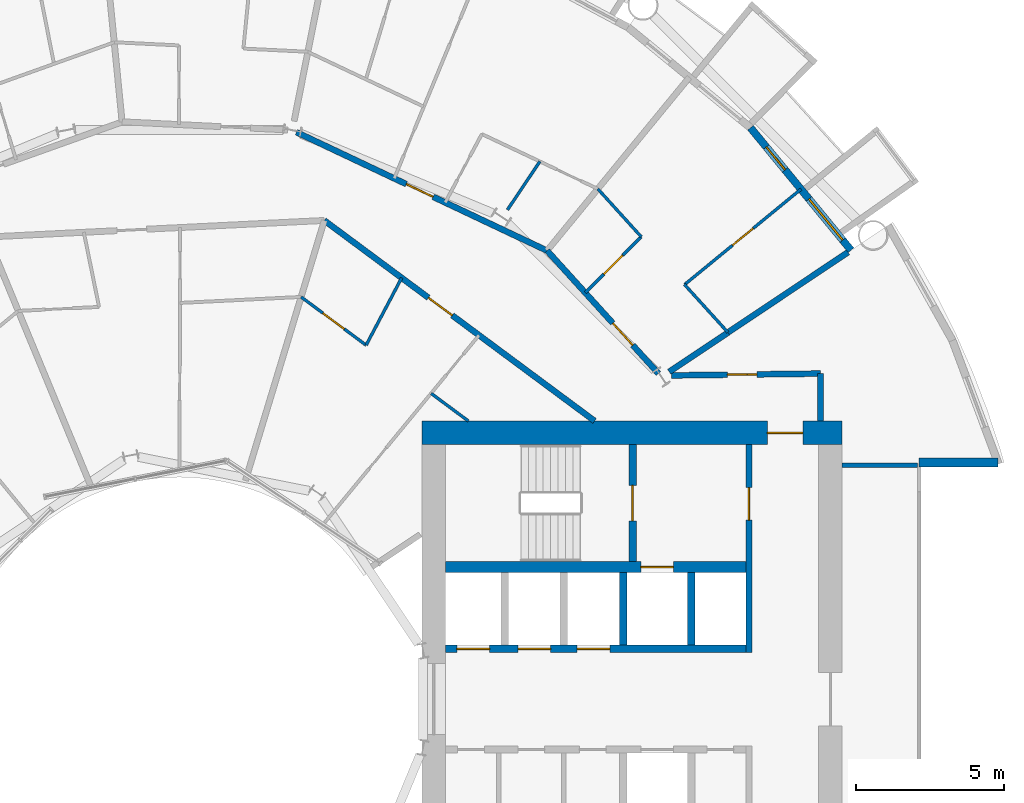
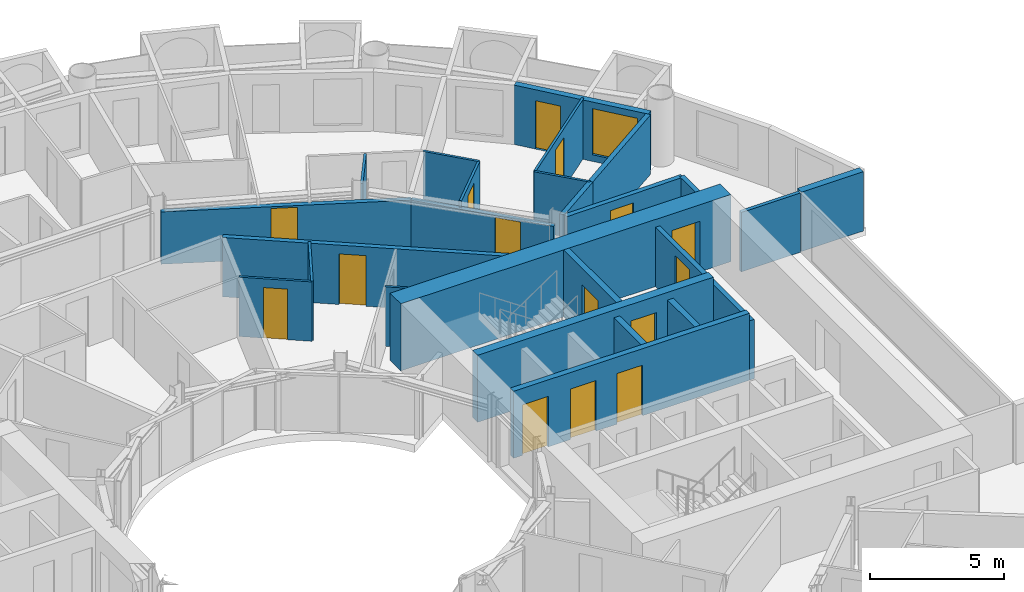
# One storey, part 21 of 25: 25 walls, 15 doors, 1 window, 16 openings.
"""IFC4 building model written with IfcOpenShell, lengths in metres."""

from ifc_helpers import new_model, si_unit, direction, frame, frame_2d, origin, place, context, subcontext, project, spatial, rectangle, extrude, material, layer, layer_set, type_object, element, fill, save


model = new_model("IFC4")

# Units and contexts
model_context = context("Model", 3, precision=1e-05, world=origin(), true_north=direction((0.0, 1.0)))
body_context = subcontext(model_context, "Body", "Model", "MODEL_VIEW")
ifc_project = project(units=[si_unit("LENGTHUNIT", "METRE"), si_unit("AREAUNIT", "SQUARE_METRE"), si_unit("VOLUMEUNIT", "CUBIC_METRE"), si_unit("PLANEANGLEUNIT", "RADIAN"), si_unit("MASSUNIT", "GRAM", prefix="KILO")], contexts=[model_context])

# Site, building, storey
site_placement = place(None, origin())
site = spatial("IfcSite", under=ifc_project, at=site_placement, CompositionType="ELEMENT")
building_placement = place(site_placement, origin())
building = spatial("IfcBuilding", under=site, at=building_placement, Name="Maasbend Ring Residences", CompositionType="ELEMENT")
storey_placement = place(building_placement, frame((0.0, 0.0, 41.10009765625)))
storey = spatial("IfcBuildingStorey", under=building, at=storey_placement, Name="L11", CompositionType="ELEMENT", Elevation=41.10009765625)

# Wall, openings, doors
ifc_material_1 = material(Name="Concrete C70/85", Category="concrete")
ifc_layer_1 = layer(ifc_material_1, 0.25)
ifc_layer_set_1 = layer_set([ifc_layer_1], Name="Concrete C70/85")
wall_type_1 = type_object("IfcWallType", Name="CORE WALL 250 C70/85", PredefinedType="SHEAR", material=ifc_layer_set_1)
wall_1_placement = place(storey_placement, frame((9.0, 1.699951171875, 0.0), z_axis=(0.0, 0.0, 1.0), x_axis=(1.0, 0.0, 0.0)))
wall_1 = element("IfcWall", 1, at=wall_1_placement, inside=storey, type_object=wall_type_1, Name="L11 core E wall SPN", PredefinedType="SHEAR", context=body_context, shape_type="SweptSolid", body=[
    extrude(rectangle(XDim=10.14990234375, YDim=0.25, at=frame_2d((5.074951171875, 0.0))), origin(), (0.0, 0.0, 1.0), 3.0498046875),
])
opening_1_placement = place(wall_1_placement, frame((0.387451171875, 0.0, 0.0)))
opening_1 = element("IfcOpeningElement", 2, at=opening_1_placement, cuts=wall_1, Name="Opening LD-E1101", PredefinedType="OPENING", context=body_context, shape_type="SweptSolid", body=[
    extrude(rectangle(XDim=1.10009765625, YDim=2.300048828125, at=frame_2d((0.550048828125, 1.14990234375))), frame((0.0, 0.135009765625, 0.0), z_axis=(0.0, -1.0, 0.0), x_axis=(1.0, 0.0, 0.0)), (0.0, 0.0, 1.0), 0.27001953125),
])
opening_2_placement = place(wall_1_placement, frame((2.449951171875, 0.0, 0.0)))
opening_2 = element("IfcOpeningElement", 3, at=opening_2_placement, cuts=wall_1, Name="Opening LD-E1102", PredefinedType="OPENING", context=body_context, shape_type="SweptSolid", body=[
    extrude(rectangle(XDim=1.10009765625, YDim=2.300048828125, at=frame_2d((0.550048828125, 1.14990234375))), frame((0.0, 0.135009765625, 0.0), z_axis=(0.0, -1.0, 0.0), x_axis=(1.0, 0.0, 0.0)), (0.0, 0.0, 1.0), 0.27001953125),
])
opening_3_placement = place(wall_1_placement, frame((4.449951171875, 0.0, 0.0)))
opening_3 = element("IfcOpeningElement", 4, at=opening_3_placement, cuts=wall_1, Name="Opening LD-E1103", PredefinedType="OPENING", context=body_context, shape_type="SweptSolid", body=[
    extrude(rectangle(XDim=1.10009765625, YDim=2.300048828125, at=frame_2d((0.550048828125, 1.14990234375))), frame((0.0, 0.135009765625, 0.0), z_axis=(0.0, -1.0, 0.0), x_axis=(1.0, 0.0, 0.0)), (0.0, 0.0, 1.0), 0.27001953125),
])
ifc_material_2 = material(Name="Stainless steel 316", Category="steel")
door_type_1 = type_object("IfcDoorType", Name="LANDING DOOR 1100 X 2300 FD60", OperationType="DOUBLE_DOOR_SLIDING", PredefinedType="DOOR", material=ifc_material_2)
door_1_placement = place(opening_1_placement, origin())
door_1 = element("IfcDoor", 5, at=door_1_placement, inside=storey, type_object=door_type_1, Name="Landing door LR-E1 L11", OperationType="DOUBLE_DOOR_SLIDING", OverallHeight=2.300048828125, OverallWidth=1.10009765625, PredefinedType="DOOR", context=body_context, shape_type="SweptSolid", body=[
    extrude(rectangle(XDim=1.10009765625, YDim=2.300048828125, at=frame_2d((0.550048828125, 1.14990234375))), frame((0.0, 0.02490234375, 0.0), z_axis=(0.0, -1.0, 0.0), x_axis=(1.0, 0.0, 0.0)), (0.0, 0.0, 1.0), 0.050048828125),
])
fill(opening_1, door_1)
door_2_placement = place(opening_2_placement, origin())
door_2 = element("IfcDoor", 6, at=door_2_placement, inside=storey, type_object=door_type_1, Name="Landing door LR-E2 L11", OperationType="DOUBLE_DOOR_SLIDING", OverallHeight=2.300048828125, OverallWidth=1.10009765625, PredefinedType="DOOR", context=body_context, shape_type="SweptSolid", body=[
    extrude(rectangle(XDim=1.10009765625, YDim=2.300048828125, at=frame_2d((0.550048828125, 1.14990234375))), frame((0.0, 0.02490234375, 0.0), z_axis=(0.0, -1.0, 0.0), x_axis=(1.0, 0.0, 0.0)), (0.0, 0.0, 1.0), 0.050048828125),
])
fill(opening_2, door_2)
door_3_placement = place(opening_3_placement, origin())
door_3 = element("IfcDoor", 7, at=door_3_placement, inside=storey, type_object=door_type_1, Name="Landing door LR-E3 L11", OperationType="DOUBLE_DOOR_SLIDING", OverallHeight=2.300048828125, OverallWidth=1.10009765625, PredefinedType="DOOR", context=body_context, shape_type="SweptSolid", body=[
    extrude(rectangle(XDim=1.10009765625, YDim=2.300048828125, at=frame_2d((0.550048828125, 1.14990234375))), frame((0.0, 0.02490234375, 0.0), z_axis=(0.0, -1.0, 0.0), x_axis=(1.0, 0.0, 0.0)), (0.0, 0.0, 1.0), 0.050048828125),
])
fill(opening_3, door_3)

# Wall, opening, door
wall_2_placement = place(storey_placement, frame((15.324951171875, 4.64990234375, 0.0), z_axis=(0.0, 0.0, 1.0), x_axis=(0.0, 1.0, 0.0)))
wall_2 = element("IfcWall", 8, at=wall_2_placement, inside=storey, type_object=wall_type_1, Name="L11 core E wall STEN", PredefinedType="SHEAR", context=body_context, shape_type="SweptSolid", body=[
    extrude(rectangle(XDim=3.9501953125, YDim=0.25, at=frame_2d((1.97509765625, 0.0))), origin(), (0.0, 0.0, 1.0), 3.0498046875),
])
opening_4_placement = place(wall_2_placement, frame((1.375, 0.0, 0.0)))
opening_4 = element("IfcOpeningElement", 9, at=opening_4_placement, cuts=wall_2, Name="Opening D-E1111", PredefinedType="OPENING", context=body_context, shape_type="SweptSolid", body=[
    extrude(rectangle(XDim=1.199951171875, YDim=2.300048828125, at=frame_2d((0.60009765625, 1.14990234375))), frame((0.0, 0.135009765625, 0.0), z_axis=(0.0, -1.0, 0.0), x_axis=(1.0, 0.0, 0.0)), (0.0, 0.0, 1.0), 0.27001953125),
])
ifc_material_3 = material(Name="Steel, powder coated", Category="steel")
door_type_2 = type_object("IfcDoorType", Name="STAIR DOOR 1200 X 2300 FD60", OperationType="NOTDEFINED", PredefinedType="DOOR", material=ifc_material_3)
door_4_placement = place(opening_4_placement, origin())
door_4 = element("IfcDoor", 10, at=door_4_placement, inside=storey, type_object=door_type_2, Name="Stair door ST-E L11", OperationType="SINGLE_SWING_LEFT", OverallHeight=2.300048828125, OverallWidth=1.199951171875, PredefinedType="DOOR", context=body_context, shape_type="SweptSolid", body=[
    extrude(rectangle(XDim=1.199951171875, YDim=2.300048828125, at=frame_2d((0.60009765625, 1.14990234375))), frame((0.0, 0.02490234375, 0.0), z_axis=(0.0, -1.0, 0.0), x_axis=(1.0, 0.0, 0.0)), (0.0, 0.0, 1.0), 0.050048828125),
])
fill(opening_4, door_4)

ifc_material_4 = material(Name="Concrete C70/85", Category="concrete")
ifc_layer_2 = layer(ifc_material_4, 0.375)
ifc_layer_set_2 = layer_set([ifc_layer_2], Name="Concrete C70/85")
wall_type_2 = type_object("IfcWallType", Name="CORE WALL 375 C70/85", PredefinedType="SHEAR", material=ifc_layer_set_2)
wall_3_placement = place(storey_placement, frame((9.0, 4.46240234375, 0.0), z_axis=(0.0, 0.0, 1.0), x_axis=(1.0, 0.0, 0.0)))
wall_3 = element("IfcWall", 11, at=wall_3_placement, inside=storey, type_object=wall_type_2, Name="L11 core E wall BN", PredefinedType="SHEAR", context=body_context, shape_type="SweptSolid", body=[
    extrude(rectangle(XDim=10.14990234375, YDim=0.375, at=frame_2d((5.074951171875, 0.0))), origin(), (0.0, 0.0, 1.0), 3.0498046875),
])
opening_5_placement = place(wall_3_placement, frame((6.60009765625, 0.0, 0.0)))
opening_5 = element("IfcOpeningElement", 12, at=opening_5_placement, cuts=wall_3, Name="Opening LD-E1104", PredefinedType="OPENING", context=body_context, shape_type="SweptSolid", body=[
    extrude(rectangle(XDim=1.10009765625, YDim=2.300048828125, at=frame_2d((0.550048828125, 1.14990234375))), frame((0.0, 0.197509765625, 0.0), z_axis=(0.0, -1.0, 0.0), x_axis=(1.0, 0.0, 0.0)), (0.0, 0.0, 1.0), 0.39501953125),
])
door_5_placement = place(opening_5_placement, origin())
door_5 = element("IfcDoor", 13, at=door_5_placement, inside=storey, type_object=door_type_1, Name="Landing door FF-E L11", OperationType="DOUBLE_DOOR_SLIDING", OverallHeight=2.300048828125, OverallWidth=1.10009765625, PredefinedType="DOOR", context=body_context, shape_type="SweptSolid", body=[
    extrude(rectangle(XDim=1.10009765625, YDim=2.300048828125, at=frame_2d((0.550048828125, 1.14990234375))), frame((0.0, 0.02490234375, 0.0), z_axis=(0.0, -1.0, 0.0), x_axis=(1.0, 0.0, 0.0)), (0.0, 0.0, 1.0), 0.050048828125),
])
fill(opening_5, door_5)

ifc_material_5 = material(Name="Concrete C70/85", Category="concrete")
ifc_layer_3 = layer(ifc_material_5, 0.800048828125)
ifc_layer_set_3 = layer_set([ifc_layer_3], Name="Concrete C70/85")
wall_type_3 = type_object("IfcWallType", Name="CORE WALL 800 C70/85", PredefinedType="SHEAR", material=ifc_layer_set_3)
wall_4_placement = place(storey_placement, frame((22.39990234375, 9.0, 0.0), z_axis=(0.0, 0.0, 1.0), x_axis=(-1.0, 0.0, 0.0)))
wall_4 = element("IfcWall", 14, at=wall_4_placement, inside=storey, type_object=wall_type_3, Name="L11 core E wall PN", PredefinedType="SHEAR", context=body_context, shape_type="SweptSolid", body=[
    extrude(rectangle(XDim=14.199951171875, YDim=0.800048828125, at=frame_2d((7.10009765625, 0.0))), origin(), (0.0, 0.0, 1.0), 3.0498046875),
])
opening_6_placement = place(wall_4_placement, frame((1.324951171875, 0.0, 0.0)))
opening_6 = element("IfcOpeningElement", 15, at=opening_6_placement, cuts=wall_4, Name="Opening D-E1115", PredefinedType="OPENING", context=body_context, shape_type="SweptSolid", body=[
    extrude(rectangle(XDim=1.199951171875, YDim=2.300048828125, at=frame_2d((0.60009765625, 1.14990234375))), frame((0.0, 0.41015625, 0.0), z_axis=(0.0, -1.0, 0.0), x_axis=(1.0, 0.0, 0.0)), (0.0, 0.0, 1.0), 0.820068359375),
])
ifc_material_6 = material(Name="Steel, powder coated", Category="steel")
door_type_3 = type_object("IfcDoorType", Name="CORRIDOR DOOR 1200 X 2300 FD30S", OperationType="NOTDEFINED", PredefinedType="DOOR", material=ifc_material_6)
door_6_placement = place(opening_6_placement, origin())
door_6 = element("IfcDoor", 16, at=door_6_placement, inside=storey, type_object=door_type_3, Name="Corridor door L11", OperationType="SINGLE_SWING_RIGHT", OverallHeight=2.300048828125, OverallWidth=1.199951171875, PredefinedType="DOOR", context=body_context, shape_type="SweptSolid", body=[
    extrude(rectangle(XDim=1.199951171875, YDim=2.300048828125, at=frame_2d((0.60009765625, 1.14990234375))), frame((0.0, 0.02490234375, 0.0), z_axis=(0.0, -1.0, 0.0), x_axis=(1.0, 0.0, 0.0)), (0.0, 0.0, 1.0), 0.050048828125),
])
fill(opening_6, door_6)

# Wall
ifc_material_7 = material(Name="Concrete C30/37", Category="concrete")
ifc_layer_4 = layer(ifc_material_7, 0.199951171875)
ifc_layer_set_4 = layer_set([ifc_layer_4], Name="Concrete C30/37")
wall_type_4 = type_object("IfcWallType", Name="CORRIDOR WALL 200 CONCRETE", PredefinedType="PARTITIONING", material=ifc_layer_set_4)
wall_5_placement = place(storey_placement, frame((21.675048828125, 9.39990234375, 0.0), z_axis=(0.0, 0.0, 1.0), x_axis=(0.0, 1.0, 0.0)))
element("IfcWall", 17, at=wall_5_placement, inside=storey, type_object=wall_type_4, Name="U-L11-w008", PredefinedType="PARTITIONING", context=body_context, shape_type="SweptSolid", body=[
    extrude(rectangle(XDim=1.60009765625, YDim=0.199951171875, at=frame_2d((0.800048828125, 0.0))), origin(), (0.0, 0.0, 1.0), 2.699951171875),
])

# Wall, opening, door
wall_6_placement = place(storey_placement, frame((16.636962890625, 10.93798828125, 0.0), z_axis=(0.0, 0.0, 1.0), x_axis=(0.99992425795, 0.012307654658, 0.0)))
wall_6 = element("IfcWall", 18, at=wall_6_placement, inside=storey, type_object=wall_type_4, Name="U-L11-w096", PredefinedType="PARTITIONING", context=body_context, shape_type="SweptSolid", body=[
    extrude(rectangle(XDim=5.03857421875, YDim=0.199951171875, at=frame_2d((2.519287109375, 0.0))), origin(), (0.0, 0.0, 1.0), 2.699951171875),
])
opening_7_placement = place(wall_6_placement, frame((1.884033203125, 0.0, 0.0)))
opening_7 = element("IfcOpeningElement", 19, at=opening_7_placement, cuts=wall_6, Name="Opening D-1172", PredefinedType="OPENING", context=body_context, shape_type="SweptSolid", body=[
    extrude(rectangle(XDim=1.0, YDim=2.300048828125, at=frame_2d((0.5, 1.14990234375))), frame((0.0, 0.10986328125, 0.0), z_axis=(0.0, -1.0, 0.0), x_axis=(1.0, 0.0, 0.0)), (0.0, 0.0, 1.0), 0.219970703125),
])
ifc_material_8 = material(Name="Timber, painted", Category="wood")
door_type_4 = type_object("IfcDoorType", Name="ROOM DOOR 1000 X 2300", OperationType="NOTDEFINED", PredefinedType="DOOR", material=ifc_material_8)
door_7_placement = place(opening_7_placement, origin())
door_7 = element("IfcDoor", 20, at=door_7_placement, inside=storey, type_object=door_type_4, Name="D-1172", OperationType="SINGLE_SWING_LEFT", OverallHeight=2.300048828125, OverallWidth=1.0, PredefinedType="DOOR", context=body_context, shape_type="SweptSolid", body=[
    extrude(rectangle(XDim=1.0, YDim=2.300048828125, at=frame_2d((0.5, 1.14990234375))), frame((0.0, 0.02490234375, 0.0), z_axis=(0.0, -1.0, 0.0), x_axis=(1.0, 0.0, 0.0)), (0.0, 0.0, 1.0), 0.050048828125),
])
fill(opening_7, door_7)

wall_7_placement = place(storey_placement, frame((4.906005859375, 16.172119140625, 0.0), z_axis=(0.0, 0.0, 1.0), x_axis=(0.803202106898, -0.595706618626, 0.0)))
wall_7 = element("IfcWall", 21, at=wall_7_placement, inside=storey, type_object=wall_type_4, Name="U-L11-w104", PredefinedType="PARTITIONING", context=body_context, shape_type="SweptSolid", body=[
    extrude(rectangle(XDim=11.368408203125, YDim=0.199951171875, at=frame_2d((5.68408203125, 0.0))), origin(), (0.0, 0.0, 1.0), 2.699951171875),
])
opening_8_placement = place(wall_7_placement, frame((4.3798828125, 0.0, 0.0)))
opening_8 = element("IfcOpeningElement", 22, at=opening_8_placement, cuts=wall_7, Name="Opening D-1123", PredefinedType="OPENING", context=body_context, shape_type="SweptSolid", body=[
    extrude(rectangle(XDim=1.0, YDim=2.300048828125, at=frame_2d((0.5, 1.14990234375))), frame((0.0, 0.10986328125, 0.0), z_axis=(0.0, -1.0, 0.0), x_axis=(1.0, 0.0, 0.0)), (0.0, 0.0, 1.0), 0.219970703125),
])
ifc_material_9 = material(Name="Timber, fire-rated, painted", Category="wood")
door_type_5 = type_object("IfcDoorType", Name="FLAT ENTRANCE DOOR 1000 X 2300 FIRE-RATED", OperationType="NOTDEFINED", PredefinedType="DOOR", material=ifc_material_9)
door_8_placement = place(opening_8_placement, origin())
door_8 = element("IfcDoor", 23, at=door_8_placement, inside=storey, type_object=door_type_5, Name="D-1123", OperationType="SINGLE_SWING_LEFT", OverallHeight=2.300048828125, OverallWidth=1.0, PredefinedType="DOOR", context=body_context, shape_type="SweptSolid", body=[
    extrude(rectangle(XDim=1.0, YDim=2.300048828125, at=frame_2d((0.5, 1.14990234375))), frame((0.0, 0.02490234375, 0.0), z_axis=(0.0, -1.0, 0.0), x_axis=(1.0, 0.0, 0.0)), (0.0, 0.0, 1.0), 0.050048828125),
])
fill(opening_8, door_8)

wall_8_placement = place(storey_placement, frame((3.966064453125, 19.154052734375, 0.0), z_axis=(0.0, 0.0, 1.0), x_axis=(0.904067688688, -0.427389300603, 0.0)))
wall_8 = element("IfcWall", 24, at=wall_8_placement, inside=storey, type_object=wall_type_4, Name="U-L11-w107", PredefinedType="PARTITIONING", context=body_context, shape_type="SweptSolid", body=[
    extrude(rectangle(XDim=9.366455078125, YDim=0.199951171875, at=frame_2d((4.68310546875, 0.0))), origin(), (0.0, 0.0, 1.0), 2.3798828125),
])
opening_9_placement = place(wall_8_placement, frame((4.10400390625, 0.0, 0.0)))
opening_9 = element("IfcOpeningElement", 25, at=opening_9_placement, cuts=wall_8, Name="Opening D-1104", PredefinedType="OPENING", context=body_context, shape_type="SweptSolid", body=[
    extrude(rectangle(XDim=1.0, YDim=2.300048828125, at=frame_2d((0.5, 1.14990234375))), frame((0.0, 0.10986328125, 0.0), z_axis=(0.0, -1.0, 0.0), x_axis=(1.0, 0.0, 0.0)), (0.0, 0.0, 1.0), 0.219970703125),
])
door_9_placement = place(opening_9_placement, origin())
door_9 = element("IfcDoor", 26, at=door_9_placement, inside=storey, type_object=door_type_5, Name="D-1104", OperationType="SINGLE_SWING_LEFT", OverallHeight=2.300048828125, OverallWidth=1.0, PredefinedType="DOOR", context=body_context, shape_type="SweptSolid", body=[
    extrude(rectangle(XDim=1.0, YDim=2.300048828125, at=frame_2d((0.5, 1.14990234375))), frame((0.0, 0.02490234375, 0.0), z_axis=(0.0, -1.0, 0.0), x_axis=(1.0, 0.0, 0.0)), (0.0, 0.0, 1.0), 0.050048828125),
])
fill(opening_9, door_9)

wall_9_placement = place(storey_placement, frame((12.43408203125, 15.15087890625, 0.0), z_axis=(0.0, 0.0, 1.0), x_axis=(0.671514934772, -0.740991020444, 0.0)))
wall_9 = element("IfcWall", 27, at=wall_9_placement, inside=storey, type_object=wall_type_4, Name="U-L11-w110", PredefinedType="PARTITIONING", context=body_context, shape_type="SweptSolid", body=[
    extrude(rectangle(XDim=5.597900390625, YDim=0.199951171875, at=frame_2d((2.798828125, 0.0))), origin(), (0.0, 0.0, 1.0), 2.3798828125),
])
opening_10_placement = place(wall_9_placement, frame((3.304931640625, 0.0, 0.0)))
opening_10 = element("IfcOpeningElement", 28, at=opening_10_placement, cuts=wall_9, Name="Opening D-1101", PredefinedType="OPENING", context=body_context, shape_type="SweptSolid", body=[
    extrude(rectangle(XDim=1.0, YDim=2.300048828125, at=frame_2d((0.5, 1.14990234375))), frame((0.0, 0.10986328125, 0.0), z_axis=(0.0, -1.0, 0.0), x_axis=(1.0, 0.0, 0.0)), (0.0, 0.0, 1.0), 0.219970703125),
])
door_10_placement = place(opening_10_placement, origin())
door_10 = element("IfcDoor", 29, at=door_10_placement, inside=storey, type_object=door_type_5, Name="D-1101", OperationType="SINGLE_SWING_RIGHT", OverallHeight=2.300048828125, OverallWidth=1.0, PredefinedType="DOOR", context=body_context, shape_type="SweptSolid", body=[
    extrude(rectangle(XDim=1.0, YDim=2.300048828125, at=frame_2d((0.5, 1.14990234375))), frame((0.0, 0.02490234375, 0.0), z_axis=(0.0, -1.0, 0.0), x_axis=(1.0, 0.0, 0.0)), (0.0, 0.0, 1.0), 0.050048828125),
])
fill(opening_10, door_10)

# Wall, openings, door, window
ifc_material_10 = material(Name="Aluminium clad insulated panel", Category="aluminium")
ifc_layer_5 = layer(ifc_material_10, 0.25)
ifc_layer_set_5 = layer_set([ifc_layer_5], Name="EW-GL")
wall_type_5 = type_object("IfcWallType", Name="EW-GL", PredefinedType="SOLIDWALL", material=ifc_layer_set_5)
wall_10_placement = place(storey_placement, frame((22.698974609375, 15.1669921875, 0.0), z_axis=(0.0, 0.0, 1.0), x_axis=(-0.634382322723, 0.773019449054, 0.0)))
wall_10 = element("IfcWall", 30, at=wall_10_placement, inside=storey, type_object=wall_type_5, Name="External wall N01", PredefinedType="SOLIDWALL", context=body_context, shape_type="SweptSolid", body=[
    extrude(rectangle(XDim=5.351806640625, YDim=0.25, at=frame_2d((2.67578125, 0.0))), origin(), (0.0, 0.0, 1.0), 2.699951171875),
])
opening_11_placement = place(wall_10_placement, frame((0.441162109375, 0.0, 0.300048828125)))
opening_11 = element("IfcOpeningElement", 31, at=opening_11_placement, cuts=wall_10, Name="Opening W-BX", PredefinedType="OPENING", context=body_context, shape_type="SweptSolid", body=[
    extrude(rectangle(XDim=1.800048828125, YDim=2.10009765625, at=frame_2d((0.89990234375, 1.050048828125))), frame((0.0, 0.135009765625, 0.0), z_axis=(0.0, -1.0, 0.0), x_axis=(1.0, 0.0, 0.0)), (0.0, 0.0, 1.0), 0.27001953125),
])
opening_12_placement = place(wall_10_placement, frame((3.510498046875, 0.0, 0.0)))
opening_12 = element("IfcOpeningElement", 32, at=opening_12_placement, cuts=wall_10, Name="Opening D-LG", PredefinedType="OPENING", context=body_context, shape_type="SweptSolid", body=[
    extrude(rectangle(XDim=1.0, YDim=2.199951171875, at=frame_2d((0.5, 1.10009765625))), frame((0.0, 0.135009765625, 0.0), z_axis=(0.0, -1.0, 0.0), x_axis=(1.0, 0.0, 0.0)), (0.0, 0.0, 1.0), 0.27001953125),
])
ifc_material_11 = material(Name="Aluminium and clear glass", Category="aluminium")
door_type_6 = type_object("IfcDoorType", Name="D-LG", OperationType="SINGLE_SWING_LEFT", PredefinedType="DOOR", material=ifc_material_11)
door_11_placement = place(opening_12_placement, origin())
door_11 = element("IfcDoor", 33, at=door_11_placement, inside=storey, type_object=door_type_6, Name="Loggia door N02", OperationType="SINGLE_SWING_LEFT", OverallHeight=2.199951171875, OverallWidth=1.0, PredefinedType="DOOR", context=body_context, shape_type="SweptSolid", body=[
    extrude(rectangle(XDim=1.0, YDim=2.199951171875, at=frame_2d((0.5, 1.10009765625))), frame((0.0, 0.02490234375, 0.0), z_axis=(0.0, -1.0, 0.0), x_axis=(1.0, 0.0, 0.0)), (0.0, 0.0, 1.0), 0.050048828125),
])
fill(opening_12, door_11)
ifc_material_12 = material(Name="Aluminium and clear glass", Category="aluminium")
window_type = type_object("IfcWindowType", Name="W-BX", PartitioningType="DOUBLE_PANEL_VERTICAL", PredefinedType="WINDOW", material=ifc_material_12)
window_placement = place(opening_11_placement, origin())
window = element("IfcWindow", 34, at=window_placement, inside=storey, type_object=window_type, Name="Window N01 room to box", OverallHeight=2.10009765625, OverallWidth=1.800048828125, PartitioningType="SINGLE_PANEL", PredefinedType="WINDOW", context=body_context, shape_type="SweptSolid", body=[
    extrude(rectangle(XDim=1.800048828125, YDim=2.10009765625, at=frame_2d((0.89990234375, 1.050048828125))), frame((0.0, 0.030029296875, 0.0), z_axis=(0.0, -1.0, 0.0), x_axis=(1.0, 0.0, 0.0)), (0.0, 0.0, 1.0), 0.06005859375),
])
fill(opening_11, window)

# Walls
ifc_material_13 = material(Name="Aluminium clad insulated panel", Category="aluminium")
ifc_layer_6 = layer(ifc_material_13, 0.300048828125)
ifc_layer_set_6 = layer_set([ifc_layer_6], Name="EW-RET")
wall_type_6 = type_object("IfcWallType", Name="EW-RET", PredefinedType="SOLIDWALL", material=ifc_layer_set_6)
wall_11_placement = place(storey_placement, frame((25.0, 8.0, 0.0), z_axis=(0.0, 0.0, 1.0), x_axis=(1.0, 0.0, 0.0)))
element("IfcWall", 35, at=wall_11_placement, inside=storey, type_object=wall_type_6, Name="Notch return wall east north", PredefinedType="SOLIDWALL", context=body_context, shape_type="SweptSolid", body=[
    extrude(rectangle(XDim=2.6669921875, YDim=0.300048828125, at=frame_2d((1.33349609375, 0.0))), origin(), (0.0, 0.0, 1.0), 2.699951171875),
])
ifc_material_14 = material(Name="Gypsum board on steel studs", Category="steel")
ifc_layer_7 = layer(ifc_material_14, 0.10009765625)
ifc_layer_set_7 = layer_set([ifc_layer_7], Name="PARTITION 100 GYPSUM")
wall_type_7 = type_object("IfcWallType", Name="PARTITION 100 GYPSUM", PredefinedType="PARTITIONING", material=ifc_layer_set_7)
wall_12_placement = place(storey_placement, frame((6.318115234375, 11.9599609375, 0.0), z_axis=(0.0, 0.0, 1.0), x_axis=(0.467001992543, 0.884256263173, 0.0)))
element("IfcWall", 36, at=wall_12_placement, inside=storey, type_object=wall_type_7, Name="U-L11-w076", PredefinedType="PARTITIONING", context=body_context, shape_type="SweptSolid", body=[
    extrude(rectangle(XDim=2.571533203125, YDim=0.10009765625, at=frame_2d((1.28564453125, 0.0))), origin(), (0.0, 0.0, 1.0), 2.699951171875),
])
wall_13_placement = place(storey_placement, frame((11.093017578125, 16.532958984375, 0.0), z_axis=(0.0, 0.0, 1.0), x_axis=(0.557134474719, 0.830422288405, 0.0)))
element("IfcWall", 37, at=wall_13_placement, inside=storey, type_object=wall_type_7, Name="U-L11-w083", PredefinedType="PARTITIONING", context=body_context, shape_type="SweptSolid", body=[
    extrude(rectangle(XDim=1.96533203125, YDim=0.10009765625, at=frame_2d((0.982666015625, 0.0))), origin(), (0.0, 0.0, 1.0), 2.699951171875),
])

# Wall, opening, door
wall_14_placement = place(storey_placement, frame((13.721923828125, 13.72998046875, 0.0), z_axis=(0.0, 0.0, 1.0), x_axis=(0.706741540154, 0.707471833659, 0.0)))
wall_14 = element("IfcWall", 38, at=wall_14_placement, inside=storey, type_object=wall_type_7, Name="U-L11-w087", PredefinedType="PARTITIONING", context=body_context, shape_type="SweptSolid", body=[
    extrude(rectangle(XDim=2.67431640625, YDim=0.10009765625, at=frame_2d((1.337158203125, 0.0))), origin(), (0.0, 0.0, 1.0), 2.699951171875),
])
opening_13_placement = place(wall_14_placement, frame((0.886962890625, 0.0, 0.0)))
opening_13 = element("IfcOpeningElement", 39, at=opening_13_placement, cuts=wall_14, Name="Opening D-1102", PredefinedType="OPENING", context=body_context, shape_type="SweptSolid", body=[
    extrude(rectangle(XDim=0.89990234375, YDim=2.300048828125, at=frame_2d((0.449951171875, 1.14990234375))), frame((0.0, 0.06005859375, 0.0), z_axis=(0.0, -1.0, 0.0), x_axis=(1.0, 0.0, 0.0)), (0.0, 0.0, 1.0), 0.1201171875),
])
ifc_material_15 = material(Name="Timber, painted", Category="wood")
door_type_7 = type_object("IfcDoorType", Name="INTERNAL DOOR 900 X 2300", OperationType="NOTDEFINED", PredefinedType="DOOR", material=ifc_material_15)
door_12_placement = place(opening_13_placement, origin())
door_12 = element("IfcDoor", 40, at=door_12_placement, inside=storey, type_object=door_type_7, Name="D-1102", OperationType="SINGLE_SWING_RIGHT", OverallHeight=2.300048828125, OverallWidth=0.89990234375, PredefinedType="DOOR", context=body_context, shape_type="SweptSolid", body=[
    extrude(rectangle(XDim=0.89990234375, YDim=2.300048828125, at=frame_2d((0.449951171875, 1.14990234375))), frame((0.0, 0.02490234375, 0.0), z_axis=(0.0, -1.0, 0.0), x_axis=(1.0, 0.0, 0.0)), (0.0, 0.0, 1.0), 0.050048828125),
])
fill(opening_13, door_12)

wall_15_placement = place(storey_placement, frame((17.076904296875, 14.006103515625, 0.0), z_axis=(0.0, 0.0, 1.0), x_axis=(0.77326214499, 0.634086472908, 0.0)))
wall_15 = element("IfcWall", 41, at=wall_15_placement, inside=storey, type_object=wall_type_7, Name="U-L11-w090", PredefinedType="PARTITIONING", context=body_context, shape_type="SweptSolid", body=[
    extrude(rectangle(XDim=5.0888671875, YDim=0.10009765625, at=frame_2d((2.54443359375, 0.0))), origin(), (0.0, 0.0, 1.0), 2.699951171875),
])
opening_14_placement = place(wall_15_placement, frame((2.093994140625, 0.0, 0.0)))
opening_14 = element("IfcOpeningElement", 42, at=opening_14_placement, cuts=wall_15, Name="Opening D-1103", PredefinedType="OPENING", context=body_context, shape_type="SweptSolid", body=[
    extrude(rectangle(XDim=0.89990234375, YDim=2.300048828125, at=frame_2d((0.449951171875, 1.14990234375))), frame((0.0, 0.06005859375, 0.0), z_axis=(0.0, -1.0, 0.0), x_axis=(1.0, 0.0, 0.0)), (0.0, 0.0, 1.0), 0.1201171875),
])
door_13_placement = place(opening_14_placement, origin())
door_13 = element("IfcDoor", 43, at=door_13_placement, inside=storey, type_object=door_type_7, Name="D-1103", OperationType="SINGLE_SWING_RIGHT", OverallHeight=2.300048828125, OverallWidth=0.89990234375, PredefinedType="DOOR", context=body_context, shape_type="SweptSolid", body=[
    extrude(rectangle(XDim=0.89990234375, YDim=2.300048828125, at=frame_2d((0.449951171875, 1.14990234375))), frame((0.0, 0.02490234375, 0.0), z_axis=(0.0, -1.0, 0.0), x_axis=(1.0, 0.0, 0.0)), (0.0, 0.0, 1.0), 0.050048828125),
])
fill(opening_14, door_13)

wall_16_placement = place(storey_placement, frame((4.1220703125, 13.589111328125, 0.0), z_axis=(0.0, 0.0, 1.0), x_axis=(0.803128348509, -0.595806055542, 0.0)))
wall_16 = element("IfcWall", 44, at=wall_16_placement, inside=storey, type_object=wall_type_7, Name="U-L11-w099", PredefinedType="PARTITIONING", context=body_context, shape_type="SweptSolid", body=[
    extrude(rectangle(XDim=2.734375, YDim=0.10009765625, at=frame_2d((1.3671875, 0.0))), origin(), (0.0, 0.0, 1.0), 2.699951171875),
])
opening_15_placement = place(wall_16_placement, frame((0.9169921875, 0.0, 0.0)))
opening_15 = element("IfcOpeningElement", 45, at=opening_15_placement, cuts=wall_16, Name="Opening D-1124", PredefinedType="OPENING", context=body_context, shape_type="SweptSolid", body=[
    extrude(rectangle(XDim=0.89990234375, YDim=2.300048828125, at=frame_2d((0.449951171875, 1.14990234375))), frame((0.0, 0.06005859375, 0.0), z_axis=(0.0, -1.0, 0.0), x_axis=(1.0, 0.0, 0.0)), (0.0, 0.0, 1.0), 0.1201171875),
])
door_14_placement = place(opening_15_placement, origin())
door_14 = element("IfcDoor", 46, at=door_14_placement, inside=storey, type_object=door_type_7, Name="D-1124", OperationType="SINGLE_SWING_LEFT", OverallHeight=2.300048828125, OverallWidth=0.89990234375, PredefinedType="DOOR", context=body_context, shape_type="SweptSolid", body=[
    extrude(rectangle(XDim=0.89990234375, YDim=2.300048828125, at=frame_2d((0.449951171875, 1.14990234375))), frame((0.0, 0.02490234375, 0.0), z_axis=(0.0, -1.0, 0.0), x_axis=(1.0, 0.0, 0.0)), (0.0, 0.0, 1.0), 0.050048828125),
])
fill(opening_15, door_14)

# Walls
wall_17_placement = place(storey_placement, frame((8.514892578125, 10.330078125, 0.0), z_axis=(0.0, 0.0, 1.0), x_axis=(0.803264156882, -0.595622946392, 0.0)))
element("IfcWall", 47, at=wall_17_placement, inside=storey, type_object=wall_type_7, Name="U-L11-w100", PredefinedType="PARTITIONING", context=body_context, shape_type="SweptSolid", body=[
    extrude(rectangle(XDim=1.56494140625, YDim=0.10009765625, at=frame_2d((0.782470703125, 0.0))), origin(), (0.0, 0.0, 1.0), 2.699951171875),
])
wall_18_placement = place(storey_placement, frame((14.14697265625, 17.238037109375, 0.0), z_axis=(0.0, 0.0, 1.0), x_axis=(0.671674967707, -0.740845960882, 0.0)))
element("IfcWall", 48, at=wall_18_placement, inside=storey, type_object=wall_type_7, Name="U-L11-w121", PredefinedType="PARTITIONING", context=body_context, shape_type="SweptSolid", body=[
    extrude(rectangle(XDim=2.18115234375, YDim=0.10009765625, at=frame_2d((1.090576171875, 0.0))), origin(), (0.0, 0.0, 1.0), 2.699951171875),
])
wall_19_placement = place(storey_placement, frame((17.072021484375, 14.010986328125, 0.0), z_axis=(0.0, 0.0, 1.0), x_axis=(0.67169789574, -0.740825172937, 0.0)))
element("IfcWall", 49, at=wall_19_placement, inside=storey, type_object=wall_type_7, Name="U-L11-w122", PredefinedType="PARTITIONING", context=body_context, shape_type="SweptSolid", body=[
    extrude(rectangle(XDim=2.1826171875, YDim=0.10009765625, at=frame_2d((1.09130859375, 0.0))), origin(), (0.0, 0.0, 1.0), 2.699951171875),
])
ifc_material_16 = material(Name="Gypsum board on steel studs", Category="steel")
ifc_layer_8 = layer(ifc_material_16, 0.14990234375)
ifc_layer_set_8 = layer_set([ifc_layer_8], Name="PARTITION 150 EI 60")
wall_type_8 = type_object("IfcWallType", Name="PARTITION 150 EI 60", PredefinedType="PARTITIONING", material=ifc_layer_set_8)
wall_20_placement = place(storey_placement, frame((22.39990234375, 7.89990234375, 0.0), z_axis=(0.0, 0.0, 1.0), x_axis=(1.0, 0.0, 0.0)))
element("IfcWall", 50, at=wall_20_placement, inside=storey, type_object=wall_type_8, Name="L11 core E wall CITN", PredefinedType="PARTITIONING", context=body_context, shape_type="SweptSolid", body=[
    extrude(rectangle(XDim=2.5400390625, YDim=0.14990234375, at=frame_2d((1.27001953125, 0.0))), origin(), (0.0, 0.0, 1.0), 2.699951171875),
])
ifc_material_17 = material(Name="Concrete C30/37", Category="concrete")
ifc_layer_9 = layer(ifc_material_17, 0.199951171875)
ifc_layer_set_9 = layer_set([ifc_layer_9], Name="Concrete C30/37")
wall_type_9 = type_object("IfcWallType", Name="PARTY WALL 200 CONCRETE", PredefinedType="PARTITIONING", material=ifc_layer_set_9)
wall_21_placement = place(storey_placement, frame((18.5419921875, 12.388916015625, 0.0), z_axis=(0.0, 0.0, 1.0), x_axis=(0.831387096605, 0.55569370664, 0.0)))
element("IfcWall", 51, at=wall_21_placement, inside=storey, type_object=wall_type_9, Name="U-L11-w091", PredefinedType="PARTITIONING", context=body_context, shape_type="SweptSolid", body=[
    extrude(rectangle(XDim=4.875, YDim=0.199951171875, at=frame_2d((2.4375, 0.0))), origin(), (0.0, 0.0, 1.0), 2.699951171875),
])
wall_22_placement = place(storey_placement, frame((16.554931640625, 11.06103515625, 0.0), z_axis=(0.0, 0.0, 1.0), x_axis=(0.832066006555, 0.554676627176, 0.0)))
element("IfcWall", 52, at=wall_22_placement, inside=storey, type_object=wall_type_9, Name="U-L11-w092", PredefinedType="PARTITIONING", context=body_context, shape_type="SweptSolid", body=[
    extrude(rectangle(XDim=2.390380859375, YDim=0.199951171875, at=frame_2d((1.1953125, 0.0))), origin(), (0.0, 0.0, 1.0), 2.699951171875),
])

# Wall, opening, door
ifc_material_18 = material(Name="Concrete C30/37", Category="concrete")
ifc_layer_10 = layer(ifc_material_18, 0.199951171875)
ifc_layer_set_10 = layer_set([ifc_layer_10], Name="Concrete C30/37")
wall_type_10 = type_object("IfcWallType", Name="SHAFT WALL 200 EI 120", PredefinedType="SOLIDWALL", material=ifc_layer_set_10)
wall_23_placement = place(storey_placement, frame((19.25, 1.574951171875, 0.0), z_axis=(0.0, 0.0, 1.0), x_axis=(0.0, 1.0, 0.0)))
wall_23 = element("IfcWall", 53, at=wall_23_placement, inside=storey, type_object=wall_type_10, Name="L11 core E wall ENDN", PredefinedType="SOLIDWALL", context=body_context, shape_type="SweptSolid", body=[
    extrude(rectangle(XDim=7.025146484375, YDim=0.199951171875, at=frame_2d((3.5126953125, 0.0))), origin(), (0.0, 0.0, 1.0), 2.699951171875),
])
opening_16_placement = place(wall_23_placement, frame((4.47509765625, 0.0, 0.0)))
opening_16 = element("IfcOpeningElement", 54, at=opening_16_placement, cuts=wall_23, Name="Opening D-E1113", PredefinedType="OPENING", context=body_context, shape_type="SweptSolid", body=[
    extrude(rectangle(XDim=1.10009765625, YDim=2.300048828125, at=frame_2d((0.550048828125, 1.14990234375))), frame((0.0, 0.10986328125, 0.0), z_axis=(0.0, -1.0, 0.0), x_axis=(1.0, 0.0, 0.0)), (0.0, 0.0, 1.0), 0.219970703125),
])
ifc_material_19 = material(Name="Steel, powder coated", Category="steel")
door_type_8 = type_object("IfcDoorType", Name="LOBBY DOOR 1100 X 2300 FD60", OperationType="NOTDEFINED", PredefinedType="DOOR", material=ifc_material_19)
door_15_placement = place(opening_16_placement, origin())
door_15 = element("IfcDoor", 55, at=door_15_placement, inside=storey, type_object=door_type_8, Name="Lobby door L11", OperationType="SINGLE_SWING_LEFT", OverallHeight=2.300048828125, OverallWidth=1.10009765625, PredefinedType="DOOR", context=body_context, shape_type="SweptSolid", body=[
    extrude(rectangle(XDim=1.10009765625, YDim=2.300048828125, at=frame_2d((0.550048828125, 1.14990234375))), frame((0.0, 0.02490234375, 0.0), z_axis=(0.0, -1.0, 0.0), x_axis=(1.0, 0.0, 0.0)), (0.0, 0.0, 1.0), 0.050048828125),
])
fill(opening_16, door_15)

# Walls
ifc_material_20 = material(Name="Concrete C30/37", Category="concrete")
ifc_layer_11 = layer(ifc_material_20, 0.25)
ifc_layer_set_11 = layer_set([ifc_layer_11], Name="Concrete C30/37")
wall_type_11 = type_object("IfcWallType", Name="SHAFT WALL 250 EI 120", PredefinedType="SOLIDWALL", material=ifc_layer_set_11)
for number, where, z_axis, x_axis, name in (
    (56, (15.0, 1.824951171875, 0.0), (0.0, 0.0, 1.0), (0.0, 1.0, 0.0), "L11 core E wall D150N"),
    (57, (17.300048828125, 1.824951171875, 0.0), (0.0, 0.0, 1.0), (0.0, 1.0, 0.0), "L11 core E wall D173N"),
):
    element("IfcWall", number, at=place(storey_placement, frame(where, z_axis=z_axis, x_axis=x_axis)), inside=storey, type_object=wall_type_11, Name=name, PredefinedType="SOLIDWALL", context=body_context, shape_type="SweptSolid", body=[
        extrude(rectangle(XDim=2.449951171875, YDim=0.25, at=frame_2d((1.22509765625, 0.0))), origin(), (0.0, 0.0, 1.0), 2.699951171875),
    ])

save(model, "model.ifc")
